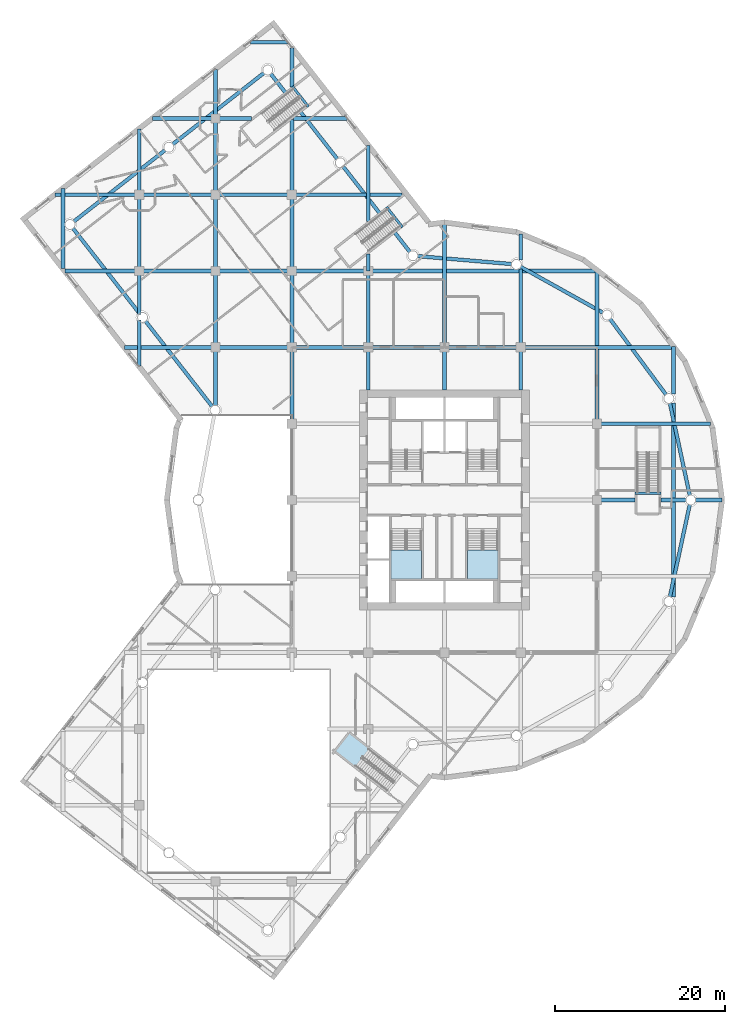
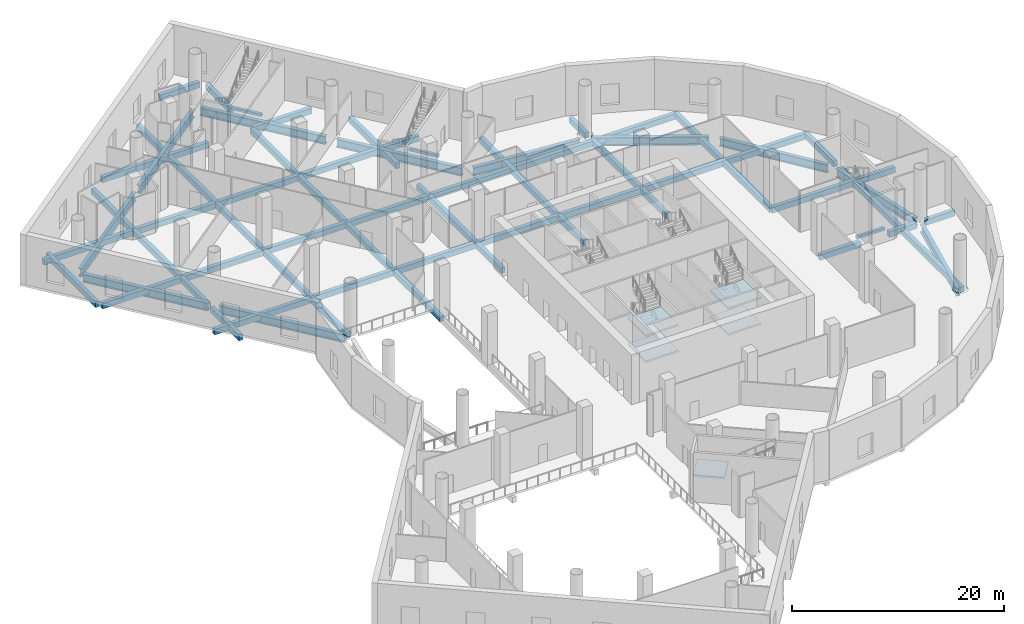
# One storey, part 2 of 24: 64 beams, 5 slabs, 3 elements without a shape of their own.
"""IFC4 building model written with IfcOpenShell, lengths in metres."""

from ifc_helpers import new_model, si_unit, direction, frame, origin, origin_2d, place, context, subcontext, project, spatial, polyline, rectangle, i_section, outline, extrude, material, layer, layer_set, material_profile, profile_set, type_object, element, aggregate, save


model = new_model("IFC4")

# Units and contexts
model_context = context("Model", 3, precision=1e-05, world=origin(), true_north=direction((0.0, 1.0)))
body_context = subcontext(model_context, "Body", "Model", "MODEL_VIEW")
ifc_project = project(units=[si_unit("LENGTHUNIT", "METRE"), si_unit("AREAUNIT", "SQUARE_METRE"), si_unit("VOLUMEUNIT", "CUBIC_METRE"), si_unit("PLANEANGLEUNIT", "RADIAN"), si_unit("MASSUNIT", "GRAM", prefix="KILO")], contexts=[model_context])

# Site, building, storey
site_placement = place(None, origin())
site = spatial("IfcSite", under=ifc_project, at=site_placement, CompositionType="ELEMENT")
building_placement = place(site_placement, origin())
building = spatial("IfcBuilding", under=site, at=building_placement, Name="Tarsis Ring Headquarters", CompositionType="ELEMENT")
storey_placement = place(building_placement, frame((0.0, 0.0, 8.0)))
storey = spatial("IfcBuildingStorey", under=building, at=storey_placement, Name="L01", CompositionType="ELEMENT", Elevation=8.0)

# Beams
ifc_material_1 = material(Name="Concrete C40/50", Category="concrete")
ifc_material_profile_1 = material_profile(ifc_material_1, rectangle(XDim=0.449951171875, YDim=0.64990234375, at=origin_2d()), Name="PO-B450")
ifc_profile_set_1 = profile_set([ifc_material_profile_1], Name="Concrete C40/50")
beam_type_1 = type_object("IfcBeamType", Name="PO-B450", PredefinedType="BEAM", material=ifc_profile_set_1)
beam_1_placement = place(storey_placement, frame((-45.0, 27.3046875, -0.574951171875), z_axis=(0.0, 1.0, 0.0), x_axis=(-1.0, 0.0, 0.0)))
element("IfcBeam", 1, at=beam_1_placement, inside=storey, type_object=beam_type_1, Name="L01 floor beam 2", PredefinedType="BEAM", context=body_context, shape_type="SweptSolid", body=[
    extrude(rectangle(XDim=0.449951171875, YDim=0.64990234375, at=origin_2d()), origin(), (0.0, 0.0, 1.0), 9.42724609375),
])
beam_2_placement = place(storey_placement, frame((-36.0, 15.78515625, -0.574951171875), z_axis=(0.0, 1.0, 0.0), x_axis=(-1.0, 0.0, 0.0)))
element("IfcBeam", 2, at=beam_2_placement, inside=storey, type_object=beam_type_1, Name="L01 floor beam 7", PredefinedType="BEAM", context=body_context, shape_type="SweptSolid", body=[
    extrude(rectangle(XDim=0.449951171875, YDim=0.64990234375, at=origin_2d()), origin(), (0.0, 0.0, 1.0), 5.44140625),
])
beam_3_placement = place(storey_placement, frame((-36.0, 21.853515625, -0.574951171875), z_axis=(0.0, 1.0, 0.0), x_axis=(-1.0, 0.0, 0.0)))
element("IfcBeam", 3, at=beam_3_placement, inside=storey, type_object=beam_type_1, Name="L01 floor beam 8", PredefinedType="BEAM", context=body_context, shape_type="SweptSolid", body=[
    extrude(rectangle(XDim=0.449951171875, YDim=0.64990234375, at=origin_2d()), origin(), (0.0, 0.0, 1.0), 5.146484375),
])
beam_4_placement = place(storey_placement, frame((-36.0, 27.0, -0.574951171875), z_axis=(0.0, 1.0, 0.0), x_axis=(-1.0, 0.0, 0.0)))
element("IfcBeam", 4, at=beam_4_placement, inside=storey, type_object=beam_type_1, Name="L01 floor beam 9", PredefinedType="BEAM", context=body_context, shape_type="SweptSolid", body=[
    extrude(rectangle(XDim=0.449951171875, YDim=0.64990234375, at=origin_2d()), origin(), (0.0, 0.0, 1.0), 9.0),
])
beam_5_placement = place(storey_placement, frame((-36.0, 36.0, -0.574951171875), z_axis=(0.0, 1.0, 0.0), x_axis=(-1.0, 0.0, 0.0)))
element("IfcBeam", 5, at=beam_5_placement, inside=storey, type_object=beam_type_1, Name="L01 floor beam 10", PredefinedType="BEAM", context=body_context, shape_type="SweptSolid", body=[
    extrude(rectangle(XDim=0.449951171875, YDim=0.64990234375, at=origin_2d()), origin(), (0.0, 0.0, 1.0), 7.763671875),
])
beam_6_placement = place(storey_placement, frame((-27.0, 11.082275390625, -0.574951171875), z_axis=(0.0, 1.0, 0.0), x_axis=(-1.0, 0.0, 0.0)))
element("IfcBeam", 6, at=beam_6_placement, inside=storey, type_object=beam_type_1, Name="L01 floor beam 14", PredefinedType="BEAM", context=body_context, shape_type="SweptSolid", body=[
    extrude(rectangle(XDim=0.449951171875, YDim=0.64990234375, at=origin_2d()), origin(), (0.0, 0.0, 1.0), 6.917724609375),
])
for number, where, z_axis, x_axis, name in (
    (7, (-27.0, 18.0, -0.574951171875), (0.0, 1.0, 0.0), (-1.0, 0.0, 0.0), "L01 floor beam 15"),
    (8, (-27.0, 27.0, -0.574951171875), (0.0, 1.0, 0.0), (-1.0, 0.0, 0.0), "L01 floor beam 16"),
    (9, (-27.0, 36.0, -0.574951171875), (0.0, 1.0, 0.0), (-1.0, 0.0, 0.0), "L01 floor beam 17"),
):
    element("IfcBeam", number, at=place(storey_placement, frame(where, z_axis=z_axis, x_axis=x_axis)), inside=storey, type_object=beam_type_1, Name=name, PredefinedType="BEAM", context=body_context, shape_type="SweptSolid", body=[
        extrude(rectangle(XDim=0.449951171875, YDim=0.64990234375, at=origin_2d()), origin(), (0.0, 0.0, 1.0), 9.0),
    ])
beam_7_placement = place(storey_placement, frame((-27.0, 45.0, -0.574951171875), z_axis=(0.0, 1.0, 0.0), x_axis=(-1.0, 0.0, 0.0)))
element("IfcBeam", 10, at=beam_7_placement, inside=storey, type_object=beam_type_1, Name="L01 floor beam 18", PredefinedType="BEAM", context=body_context, shape_type="SweptSolid", body=[
    extrude(rectangle(XDim=0.449951171875, YDim=0.64990234375, at=origin_2d()), origin(), (0.0, 0.0, 1.0), 5.795166015625),
])
for number, where, z_axis, x_axis, name in (
    (11, (-18.0, 9.0, -0.574951171875), (0.0, 1.0, 0.0), (-1.0, 0.0, 0.0), "L01 floor beam 24"),
    (12, (-18.0, 18.0, -0.574951171875), (0.0, 1.0, 0.0), (-1.0, 0.0, 0.0), "L01 floor beam 25"),
    (13, (-18.0, 27.0, -0.574951171875), (0.0, 1.0, 0.0), (-1.0, 0.0, 0.0), "L01 floor beam 26"),
):
    element("IfcBeam", number, at=place(storey_placement, frame(where, z_axis=z_axis, x_axis=x_axis)), inside=storey, type_object=beam_type_1, Name=name, PredefinedType="BEAM", context=body_context, shape_type="SweptSolid", body=[
        extrude(rectangle(XDim=0.449951171875, YDim=0.64990234375, at=origin_2d()), origin(), (0.0, 0.0, 1.0), 9.0),
    ])
beam_8_placement = place(storey_placement, frame((-18.0, 36.0, -0.574951171875), z_axis=(0.0, 1.0, 0.0), x_axis=(-1.0, 0.0, 0.0)))
element("IfcBeam", 14, at=beam_8_placement, inside=storey, type_object=beam_type_1, Name="L01 floor beam 27", PredefinedType="BEAM", context=body_context, shape_type="SweptSolid", body=[
    extrude(rectangle(XDim=0.449951171875, YDim=0.64990234375, at=origin_2d()), origin(), (0.0, 0.0, 1.0), 8.8623046875),
])
beam_9_placement = place(storey_placement, frame((-18.0, 48.7314453125, -0.574951171875), z_axis=(0.0, 1.0, 0.0), x_axis=(-1.0, 0.0, 0.0)))
element("IfcBeam", 15, at=beam_9_placement, inside=storey, type_object=beam_type_1, Name="L01 floor beam 28", PredefinedType="BEAM", context=body_context, shape_type="SweptSolid", body=[
    extrude(rectangle(XDim=0.449951171875, YDim=0.64990234375, at=origin_2d()), origin(), (0.0, 0.0, 1.0), 4.60009765625),
])
beam_10_placement = place(storey_placement, frame((-9.0, 13.0, -0.574951171875), z_axis=(0.0, 1.0, 0.0), x_axis=(-1.0, 0.0, 0.0)))
element("IfcBeam", 16, at=beam_10_placement, inside=storey, type_object=beam_type_1, Name="L01 floor beam 33", PredefinedType="BEAM", context=body_context, shape_type="SweptSolid", body=[
    extrude(rectangle(XDim=0.449951171875, YDim=0.64990234375, at=origin_2d()), origin(), (0.0, 0.0, 1.0), 5.0),
])
beam_11_placement = place(storey_placement, frame((-9.0, 18.0, -0.574951171875), z_axis=(0.0, 1.0, 0.0), x_axis=(-1.0, 0.0, 0.0)))
element("IfcBeam", 17, at=beam_11_placement, inside=storey, type_object=beam_type_1, Name="L01 floor beam 34", PredefinedType="BEAM", context=body_context, shape_type="SweptSolid", body=[
    extrude(rectangle(XDim=0.449951171875, YDim=0.64990234375, at=origin_2d()), origin(), (0.0, 0.0, 1.0), 9.0),
])
beam_12_placement = place(storey_placement, frame((-9.0, 27.0, -0.574951171875), z_axis=(0.0, 1.0, 0.0), x_axis=(-1.0, 0.0, 0.0)))
element("IfcBeam", 18, at=beam_12_placement, inside=storey, type_object=beam_type_1, Name="L01 floor beam 35", PredefinedType="BEAM", context=body_context, shape_type="SweptSolid", body=[
    extrude(rectangle(XDim=0.449951171875, YDim=0.64990234375, at=origin_2d()), origin(), (0.0, 0.0, 1.0), 2.003173828125),
])
beam_13_placement = place(storey_placement, frame((-9.0, 32.872314453125, -0.574951171875), z_axis=(0.0, 1.0, 0.0), x_axis=(-1.0, 0.0, 0.0)))
element("IfcBeam", 19, at=beam_13_placement, inside=storey, type_object=beam_type_1, Name="L01 floor beam 36", PredefinedType="BEAM", context=body_context, shape_type="SweptSolid", body=[
    extrude(rectangle(XDim=0.449951171875, YDim=0.64990234375, at=origin_2d()), origin(), (0.0, 0.0, 1.0), 8.939697265625),
])
beam_14_placement = place(storey_placement, frame((0.0, 13.0, -0.574951171875), z_axis=(0.0, 1.0, 0.0), x_axis=(-1.0, 0.0, 0.0)))
element("IfcBeam", 20, at=beam_14_placement, inside=storey, type_object=beam_type_1, Name="L01 floor beam 39", PredefinedType="BEAM", context=body_context, shape_type="SweptSolid", body=[
    extrude(rectangle(XDim=0.449951171875, YDim=0.64990234375, at=origin_2d()), origin(), (0.0, 0.0, 1.0), 5.0),
])
beam_15_placement = place(storey_placement, frame((0.0, 18.0, -0.574951171875), z_axis=(0.0, 1.0, 0.0), x_axis=(-1.0, 0.0, 0.0)))
element("IfcBeam", 21, at=beam_15_placement, inside=storey, type_object=beam_type_1, Name="L01 floor beam 40", PredefinedType="BEAM", context=body_context, shape_type="SweptSolid", body=[
    extrude(rectangle(XDim=0.449951171875, YDim=0.64990234375, at=origin_2d()), origin(), (0.0, 0.0, 1.0), 14.70458984375),
])
beam_16_placement = place(storey_placement, frame((9.0, 13.0, -0.574951171875), z_axis=(0.0, 1.0, 0.0), x_axis=(-1.0, 0.0, 0.0)))
element("IfcBeam", 22, at=beam_16_placement, inside=storey, type_object=beam_type_1, Name="L01 floor beam 44", PredefinedType="BEAM", context=body_context, shape_type="SweptSolid", body=[
    extrude(rectangle(XDim=0.449951171875, YDim=0.64990234375, at=origin_2d()), origin(), (0.0, 0.0, 1.0), 5.0),
])
beam_17_placement = place(storey_placement, frame((9.0, 18.0, -0.574951171875), z_axis=(0.0, 1.0, 0.0), x_axis=(-1.0, 0.0, 0.0)))
element("IfcBeam", 23, at=beam_17_placement, inside=storey, type_object=beam_type_1, Name="L01 floor beam 45", PredefinedType="BEAM", context=body_context, shape_type="SweptSolid", body=[
    extrude(rectangle(XDim=0.449951171875, YDim=0.64990234375, at=origin_2d()), origin(), (0.0, 0.0, 1.0), 9.245361328125),
])
beam_18_placement = place(storey_placement, frame((9.0, 28.3212890625, -0.574951171875), z_axis=(0.0, 1.0, 0.0), x_axis=(-1.0, 0.0, 0.0)))
element("IfcBeam", 24, at=beam_18_placement, inside=storey, type_object=beam_type_1, Name="L01 floor beam 46", PredefinedType="BEAM", context=body_context, shape_type="SweptSolid", body=[
    extrude(rectangle(XDim=0.449951171875, YDim=0.64990234375, at=origin_2d()), origin(), (0.0, 0.0, 1.0), 3.050048828125),
])
beam_19_placement = place(storey_placement, frame((18.0, 9.0, -0.574951171875), z_axis=(0.0, 1.0, 0.0), x_axis=(-1.0, 0.0, 0.0)))
element("IfcBeam", 25, at=beam_19_placement, inside=storey, type_object=beam_type_1, Name="L01 floor beam 50", PredefinedType="BEAM", context=body_context, shape_type="SweptSolid", body=[
    extrude(rectangle(XDim=0.449951171875, YDim=0.64990234375, at=origin_2d()), origin(), (0.0, 0.0, 1.0), 18.062255859375),
])
beam_20_placement = place(storey_placement, frame((27.0, -11.447998046875, -0.574951171875), z_axis=(0.0, 1.0, 0.0), x_axis=(-1.0, 0.0, 0.0)))
element("IfcBeam", 26, at=beam_20_placement, inside=storey, type_object=beam_type_1, Name="L01 floor beam 52", PredefinedType="BEAM", context=body_context, shape_type="SweptSolid", body=[
    extrude(rectangle(XDim=0.449951171875, YDim=0.64990234375, at=origin_2d()), origin(), (0.0, 0.0, 1.0), 22.89599609375),
])
beam_21_placement = place(storey_placement, frame((27.0, 12.4990234375, -0.574951171875), z_axis=(0.0, 1.0, 0.0), x_axis=(-1.0, 0.0, 0.0)))
element("IfcBeam", 27, at=beam_21_placement, inside=storey, type_object=beam_type_1, Name="L01 floor beam 53", PredefinedType="BEAM", context=body_context, shape_type="SweptSolid", body=[
    extrude(rectangle(XDim=0.449951171875, YDim=0.64990234375, at=origin_2d()), origin(), (0.0, 0.0, 1.0), 5.58203125),
])
beam_22_placement = place(storey_placement, frame((18.0, 0.0, -0.574951171875), z_axis=(1.0, 0.0, 0.0), x_axis=(0.0, 1.0, 0.0)))
element("IfcBeam", 28, at=beam_22_placement, inside=storey, type_object=beam_type_1, Name="L01 floor beam 74", PredefinedType="BEAM", context=body_context, shape_type="SweptSolid", body=[
    extrude(rectangle(XDim=0.449951171875, YDim=0.64990234375, at=origin_2d()), origin(), (0.0, 0.0, 1.0), 4.47509765625),
])
beam_23_placement = place(storey_placement, frame((25.52490234375, 0.0, -0.574951171875), z_axis=(1.0, 0.0, 0.0), x_axis=(0.0, 1.0, 0.0)))
element("IfcBeam", 29, at=beam_23_placement, inside=storey, type_object=beam_type_1, Name="L01 floor beam 75", PredefinedType="BEAM", context=body_context, shape_type="SweptSolid", body=[
    extrude(rectangle(XDim=0.449951171875, YDim=0.64990234375, at=origin_2d()), origin(), (0.0, 0.0, 1.0), 3.023681640625),
])
beam_24_placement = place(storey_placement, frame((29.548583984375, 0.0, -0.574951171875), z_axis=(1.0, 0.0, 0.0), x_axis=(0.0, 1.0, 0.0)))
element("IfcBeam", 30, at=beam_24_placement, inside=storey, type_object=beam_type_1, Name="L01 floor beam 76", PredefinedType="BEAM", context=body_context, shape_type="SweptSolid", body=[
    extrude(rectangle(XDim=0.449951171875, YDim=0.64990234375, at=origin_2d()), origin(), (0.0, 0.0, 1.0), 3.156005859375),
])
beam_25_placement = place(storey_placement, frame((18.0, 9.0, -0.574951171875), z_axis=(1.0, 0.0, 0.0), x_axis=(0.0, 1.0, 0.0)))
element("IfcBeam", 31, at=beam_25_placement, inside=storey, type_object=beam_type_1, Name="L01 floor beam 79", PredefinedType="BEAM", context=body_context, shape_type="SweptSolid", body=[
    extrude(rectangle(XDim=0.449951171875, YDim=0.64990234375, at=origin_2d()), origin(), (0.0, 0.0, 1.0), 13.371337890625),
])
beam_26_placement = place(storey_placement, frame((-37.730224609375, 18.0, -0.574951171875), z_axis=(1.0, 0.0, 0.0), x_axis=(0.0, 1.0, 0.0)))
element("IfcBeam", 32, at=beam_26_placement, inside=storey, type_object=beam_type_1, Name="L01 floor beam 80", PredefinedType="BEAM", context=body_context, shape_type="SweptSolid", body=[
    extrude(rectangle(XDim=0.449951171875, YDim=0.64990234375, at=origin_2d()), origin(), (0.0, 0.0, 1.0), 10.730224609375),
])
for number, where, z_axis, x_axis, name in (
    (33, (-27.0, 18.0, -0.574951171875), (1.0, 0.0, 0.0), (0.0, 1.0, 0.0), "L01 floor beam 81"),
    (34, (-18.0, 18.0, -0.574951171875), (1.0, 0.0, 0.0), (0.0, 1.0, 0.0), "L01 floor beam 82"),
    (35, (-9.0, 18.0, -0.574951171875), (1.0, 0.0, 0.0), (0.0, 1.0, 0.0), "L01 floor beam 83"),
    (36, (0.0, 18.0, -0.574951171875), (1.0, 0.0, 0.0), (0.0, 1.0, 0.0), "L01 floor beam 84"),
):
    element("IfcBeam", number, at=place(storey_placement, frame(where, z_axis=z_axis, x_axis=x_axis)), inside=storey, type_object=beam_type_1, Name=name, PredefinedType="BEAM", context=body_context, shape_type="SweptSolid", body=[
        extrude(rectangle(XDim=0.449951171875, YDim=0.64990234375, at=origin_2d()), origin(), (0.0, 0.0, 1.0), 9.0),
    ])
beam_27_placement = place(storey_placement, frame((9.0, 18.0, -0.574951171875), z_axis=(1.0, 0.0, 0.0), x_axis=(0.0, 1.0, 0.0)))
element("IfcBeam", 37, at=beam_27_placement, inside=storey, type_object=beam_type_1, Name="L01 floor beam 85", PredefinedType="BEAM", context=body_context, shape_type="SweptSolid", body=[
    extrude(rectangle(XDim=0.449951171875, YDim=0.64990234375, at=origin_2d()), origin(), (0.0, 0.0, 1.0), 18.062255859375),
])
beam_28_placement = place(storey_placement, frame((-44.761962890625, 27.0, -0.574951171875), z_axis=(1.0, 0.0, 0.0), x_axis=(0.0, 1.0, 0.0)))
element("IfcBeam", 38, at=beam_28_placement, inside=storey, type_object=beam_type_1, Name="L01 floor beam 86", PredefinedType="BEAM", context=body_context, shape_type="SweptSolid", body=[
    extrude(rectangle(XDim=0.449951171875, YDim=0.64990234375, at=origin_2d()), origin(), (0.0, 0.0, 1.0), 8.761962890625),
])
for number, where, z_axis, x_axis, name in (
    (39, (-36.0, 27.0, -0.574951171875), (1.0, 0.0, 0.0), (0.0, 1.0, 0.0), "L01 floor beam 87"),
    (40, (-27.0, 27.0, -0.574951171875), (1.0, 0.0, 0.0), (0.0, 1.0, 0.0), "L01 floor beam 88"),
    (41, (-18.0, 27.0, -0.574951171875), (1.0, 0.0, 0.0), (0.0, 1.0, 0.0), "L01 floor beam 89"),
):
    element("IfcBeam", number, at=place(storey_placement, frame(where, z_axis=z_axis, x_axis=x_axis)), inside=storey, type_object=beam_type_1, Name=name, PredefinedType="BEAM", context=body_context, shape_type="SweptSolid", body=[
        extrude(rectangle(XDim=0.449951171875, YDim=0.64990234375, at=origin_2d()), origin(), (0.0, 0.0, 1.0), 9.0),
    ])
beam_29_placement = place(storey_placement, frame((-9.0, 27.0, -0.574951171875), z_axis=(1.0, 0.0, 0.0), x_axis=(0.0, 1.0, 0.0)))
element("IfcBeam", 42, at=beam_29_placement, inside=storey, type_object=beam_type_1, Name="L01 floor beam 90", PredefinedType="BEAM", context=body_context, shape_type="SweptSolid", body=[
    extrude(rectangle(XDim=0.449951171875, YDim=0.64990234375, at=origin_2d()), origin(), (0.0, 0.0, 1.0), 27.0810546875),
])
beam_30_placement = place(storey_placement, frame((-45.93701171875, 36.0, -0.574951171875), z_axis=(1.0, 0.0, 0.0), x_axis=(0.0, 1.0, 0.0)))
element("IfcBeam", 43, at=beam_30_placement, inside=storey, type_object=beam_type_1, Name="L01 floor beam 91", PredefinedType="BEAM", context=body_context, shape_type="SweptSolid", body=[
    extrude(rectangle(XDim=0.449951171875, YDim=0.64990234375, at=origin_2d()), origin(), (0.0, 0.0, 1.0), 9.93701171875),
])
for number, where, z_axis, x_axis, name in (
    (44, (-36.0, 36.0, -0.574951171875), (1.0, 0.0, 0.0), (0.0, 1.0, 0.0), "L01 floor beam 92"),
    (45, (-27.0, 36.0, -0.574951171875), (1.0, 0.0, 0.0), (0.0, 1.0, 0.0), "L01 floor beam 93"),
):
    element("IfcBeam", number, at=place(storey_placement, frame(where, z_axis=z_axis, x_axis=x_axis)), inside=storey, type_object=beam_type_1, Name=name, PredefinedType="BEAM", context=body_context, shape_type="SweptSolid", body=[
        extrude(rectangle(XDim=0.449951171875, YDim=0.64990234375, at=origin_2d()), origin(), (0.0, 0.0, 1.0), 9.0),
    ])
beam_31_placement = place(storey_placement, frame((-18.0, 36.0, -0.574951171875), z_axis=(1.0, 0.0, 0.0), x_axis=(0.0, 1.0, 0.0)))
element("IfcBeam", 46, at=beam_31_placement, inside=storey, type_object=beam_type_1, Name="L01 floor beam 94", PredefinedType="BEAM", context=body_context, shape_type="SweptSolid", body=[
    extrude(rectangle(XDim=0.449951171875, YDim=0.64990234375, at=origin_2d()), origin(), (0.0, 0.0, 1.0), 13.0068359375),
])
beam_32_placement = place(storey_placement, frame((-34.41748046875, 45.0, -0.574951171875), z_axis=(1.0, 0.0, 0.0), x_axis=(0.0, 1.0, 0.0)))
element("IfcBeam", 47, at=beam_32_placement, inside=storey, type_object=beam_type_1, Name="L01 floor beam 95", PredefinedType="BEAM", context=body_context, shape_type="SweptSolid", body=[
    extrude(rectangle(XDim=0.449951171875, YDim=0.64990234375, at=origin_2d()), origin(), (0.0, 0.0, 1.0), 7.41748046875),
])
beam_33_placement = place(storey_placement, frame((-27.0, 45.0, -0.574951171875), z_axis=(1.0, 0.0, 0.0), x_axis=(0.0, 1.0, 0.0)))
element("IfcBeam", 48, at=beam_33_placement, inside=storey, type_object=beam_type_1, Name="L01 floor beam 96", PredefinedType="BEAM", context=body_context, shape_type="SweptSolid", body=[
    extrude(rectangle(XDim=0.449951171875, YDim=0.64990234375, at=origin_2d()), origin(), (0.0, 0.0, 1.0), 4.219482421875),
])
beam_34_placement = place(storey_placement, frame((-17.82373046875, 45.0, -0.574951171875), z_axis=(1.0, 0.0, 0.0), x_axis=(0.0, 1.0, 0.0)))
element("IfcBeam", 49, at=beam_34_placement, inside=storey, type_object=beam_type_1, Name="L01 floor beam 97", PredefinedType="BEAM", context=body_context, shape_type="SweptSolid", body=[
    extrude(rectangle(XDim=0.449951171875, YDim=0.64990234375, at=origin_2d()), origin(), (0.0, 0.0, 1.0), 6.3330078125),
])
beam_35_placement = place(storey_placement, frame((-22.89794921875, 54.0, -0.574951171875), z_axis=(1.0, 0.0, 0.0), x_axis=(0.0, 1.0, 0.0)))
element("IfcBeam", 50, at=beam_35_placement, inside=storey, type_object=beam_type_1, Name="L01 floor beam 98", PredefinedType="BEAM", context=body_context, shape_type="SweptSolid", body=[
    extrude(rectangle(XDim=0.449951171875, YDim=0.64990234375, at=origin_2d()), origin(), (0.0, 0.0, 1.0), 4.375732421875),
])
ifc_material_2 = material(Name="Concrete C60/75", Category="concrete")
ifc_material_profile_2 = material_profile(ifc_material_2, rectangle(XDim=0.300048828125, YDim=0.300048828125, at=origin_2d()), Name="PO-SHB300")
ifc_profile_set_2 = profile_set([ifc_material_profile_2], Name="Concrete C60/75")
beam_type_2 = type_object("IfcBeamType", Name="PO-SHB300", PredefinedType="BEAM", material=ifc_profile_set_2)
beam_36_placement = place(storey_placement, frame((25.52490234375, 0.780029296875, -0.39990234375), z_axis=(-1.0, 0.0, 0.0), x_axis=(0.0, -1.0, 0.0)))
element("IfcBeam", 51, at=beam_36_placement, inside=storey, type_object=beam_type_2, Name="Stair head beam L01 PS1", PredefinedType="BEAM", context=body_context, shape_type="SweptSolid", body=[
    extrude(rectangle(XDim=0.300048828125, YDim=0.300048828125, at=origin_2d()), origin(), (0.0, 0.0, 1.0), 3.0498046875),
])
beam_37_placement = place(storey_placement, frame((-6.83203125, 34.564697265625, -0.39990234375), z_axis=(0.615308465652, -0.788286427701, 0.0), x_axis=(0.788286427701, 0.615308465652, 0.0)))
element("IfcBeam", 52, at=beam_37_placement, inside=storey, type_object=beam_type_2, Name="Stair head beam L01 PS3", PredefinedType="BEAM", context=body_context, shape_type="SweptSolid", body=[
    extrude(rectangle(XDim=0.300048828125, YDim=0.300048828125, at=origin_2d()), origin(), (0.0, 0.0, 1.0), 3.050048828125),
])
beam_38_placement = place(storey_placement, frame((-17.93212890625, 48.78466796875, -0.39990234375), z_axis=(0.615358201785, -0.788247602911, 0.0), x_axis=(0.788247602911, 0.615358201785, 0.0)))
element("IfcBeam", 53, at=beam_38_placement, inside=storey, type_object=beam_type_2, Name="Stair head beam L01 PS4", PredefinedType="BEAM", context=body_context, shape_type="SweptSolid", body=[
    extrude(rectangle(XDim=0.300048828125, YDim=0.300048828125, at=origin_2d()), origin(), (0.0, 0.0, 1.0), 3.05029296875),
])
ifc_material_3 = material(Name="Structural steel S355", Category="steel")
ifc_material_profile_3 = material_profile(ifc_material_3, i_section(OverallWidth=0.42431640625, OverallDepth=0.947509765625, WebThickness=0.02392578125, FlangeThickness=0.042724609375, at=origin_2d()), Name="W36x302")
ifc_profile_set_3 = profile_set([ifc_material_profile_3], Name="Structural steel S355")
beam_type_3 = type_object("IfcBeamType", Name="XG Ring girder W36x302", PredefinedType="BEAM", material=ifc_profile_set_3)
for number, where, z_axis, x_axis, name in (
    (54, (26.581787109375, -11.437255859375, -0.7236328125), (0.2108296684, 0.977522813505, 0.0), (-0.977522813505, 0.2108296684, 0.0), "Ring girder XG1"),
    (55, (28.932861328125, 0.536376953125, -0.7236328125), (-0.2108296684, 0.977522813505, 0.0), (-0.977522813505, -0.2108296684, 0.0), "Ring girder XG1"),
    (56, (26.1396484375, 12.41455078125, -0.7236328125), (-0.595024911632, 0.80370725674, 0.0), (-0.80370725674, -0.595024911632, 0.0), "Ring girder XG1"),
    (57, (18.698486328125, 22.085205078125, -0.7236328125), (-0.873397184148, 0.487008581776, 0.0), (-0.487008581776, -0.873397184148, 0.0), "Ring girder XG1"),
):
    element("IfcBeam", number, at=place(storey_placement, frame(where, z_axis=z_axis, x_axis=x_axis)), inside=storey, type_object=beam_type_3, Name=name, PredefinedType="BEAM", context=body_context, shape_type="SweptSolid", body=[
        extrude(i_section(OverallWidth=0.42431640625, OverallDepth=0.947509765625, WebThickness=0.02392578125, FlangeThickness=0.042724609375, at=origin_2d()), origin(), (0.0, 0.0, 1.0), 11.151611328125),
    ])
beam_39_placement = place(storey_placement, frame((7.932861328125, 27.8291015625, -0.7236328125), z_axis=(-0.996489363019, 0.083719468411, 0.0), x_axis=(-0.083719468411, -0.996489363019, 0.0)))
element("IfcBeam", 58, at=beam_39_placement, inside=storey, type_object=beam_type_3, Name="Ring girder XG1", PredefinedType="BEAM", context=body_context, shape_type="SweptSolid", body=[
    extrude(i_section(OverallWidth=0.42431640625, OverallDepth=0.947509765625, WebThickness=0.02392578125, FlangeThickness=0.042724609375, at=origin_2d()), origin(), (0.0, 0.0, 1.0), 11.1513671875),
])
for number, where, z_axis, x_axis, name in (
    (59, (-4.06396484375, 29.240966796875, -0.7236328125), (-0.615666981287, 0.788006451847, 0.0), (-0.788006451847, -0.615666981287, 0.0), "Ring girder XG1"),
    (60, (-12.623046875, 40.196044921875, -0.7236328125), (-0.615666981287, 0.788006451847, 0.0), (-0.788006451847, -0.615666981287, 0.0), "Ring girder XG1"),
):
    element("IfcBeam", number, at=place(storey_placement, frame(where, z_axis=z_axis, x_axis=x_axis)), inside=storey, type_object=beam_type_3, Name=name, PredefinedType="BEAM", context=body_context, shape_type="SweptSolid", body=[
        extrude(i_section(OverallWidth=0.42431640625, OverallDepth=0.947509765625, WebThickness=0.02392578125, FlangeThickness=0.042724609375, at=origin_2d()), origin(), (0.0, 0.0, 1.0), 12.804931640625),
    ])
for number, where, z_axis, x_axis, name in (
    (61, (-21.276611328125, 50.380859375, -0.7236328125), (-0.788023563374, -0.61564507922, 0.0), (0.61564507922, -0.788023563374, 0.0), "Ring girder XG1"),
    (62, (-32.939208984375, 41.269287109375, -0.7236328125), (-0.7880081664, -0.615664786785, 0.0), (0.615664786785, -0.7880081664, 0.0), "Ring girder XG1"),
):
    element("IfcBeam", number, at=place(storey_placement, frame(where, z_axis=z_axis, x_axis=x_axis)), inside=storey, type_object=beam_type_3, Name=name, PredefinedType="BEAM", context=body_context, shape_type="SweptSolid", body=[
        extrude(i_section(OverallWidth=0.42431640625, OverallDepth=0.947509765625, WebThickness=0.02392578125, FlangeThickness=0.042724609375, at=origin_2d()), origin(), (0.0, 0.0, 1.0), 13.70263671875),
    ])
for number, where, z_axis, x_axis, name in (
    (63, (-43.831787109375, 32.062744140625, -0.7236328125), (0.615666981287, -0.788006451847, 0.0), (0.788006451847, 0.615666981287, 0.0), "Ring girder XG1"),
    (64, (-35.272705078125, 21.107666015625, -0.7236328125), (0.615666981287, -0.788006451847, 0.0), (0.788006451847, 0.615666981287, 0.0), "Ring girder XG1"),
):
    element("IfcBeam", number, at=place(storey_placement, frame(where, z_axis=z_axis, x_axis=x_axis)), inside=storey, type_object=beam_type_3, Name=name, PredefinedType="BEAM", context=body_context, shape_type="SweptSolid", body=[
        extrude(i_section(OverallWidth=0.42431640625, OverallDepth=0.947509765625, WebThickness=0.02392578125, FlangeThickness=0.042724609375, at=origin_2d()), origin(), (0.0, 0.0, 1.0), 12.804931640625),
    ])

# Stair, slabs
ifc_material_4 = material(Name="Core stair 1760")
stair_type_1 = type_object("IfcStairType", Name="Core stair 1760", PredefinedType="HALF_TURN_STAIR", material=ifc_material_4)
stair_1_placement = place(storey_placement, origin())
stair_1 = element("IfcStair", 65, at=stair_1_placement, inside=storey, type_object=stair_type_1, Name="L01 Exit stair C", PredefinedType="HALF_TURN_STAIR")
ifc_layer_1 = layer(ifc_material_1, 0.199951171875)
ifc_layer_set_1 = layer_set([ifc_layer_1], Name="Core stair landing 200")
slab_type_1 = type_object("IfcSlabType", Name="Core stair landing 200", PredefinedType="LANDING", material=ifc_layer_set_1)
slab_1_placement = place(storey_placement, frame((0.0, 0.0, 1.300048828125)))
slab_1 = element("IfcSlab", 66, at=slab_1_placement, type_object=slab_type_1, Name="Stair ST3 landing 1", PredefinedType="LANDING", context=body_context, shape_type="SweptSolid", body=[
    extrude(outline(polyline([(-6.300048828125, -5.89990234375), (-6.300048828125, -9.300048828125), (-2.699951171875, -9.300048828125), (-2.699951171875, -5.89990234375), (-6.300048828125, -5.89990234375)])), origin(), (0.0, 0.0, 1.0), 0.199951171875),
])
slab_2_placement = place(storey_placement, frame((0.0, 0.0, 4.300048828125)))
slab_2 = element("IfcSlab", 67, at=slab_2_placement, type_object=slab_type_1, Name="Stair ST3 landing 3", PredefinedType="LANDING", context=body_context, shape_type="SweptSolid", body=[
    extrude(outline(polyline([(-6.300048828125, -5.89990234375), (-6.300048828125, -9.300048828125), (-2.699951171875, -9.300048828125), (-2.699951171875, -5.89990234375), (-6.300048828125, -5.89990234375)])), origin(), (0.0, 0.0, 1.0), 0.199951171875),
])
aggregate(stair_1, [slab_1, slab_2])

stair_2_placement = place(storey_placement, origin())
stair_2 = element("IfcStair", 68, at=stair_2_placement, inside=storey, type_object=stair_type_1, Name="L01 Exit stair D", PredefinedType="HALF_TURN_STAIR")
slab_3_placement = place(storey_placement, frame((0.0, 0.0, 1.300048828125)))
slab_3 = element("IfcSlab", 69, at=slab_3_placement, type_object=slab_type_1, Name="Stair ST4 landing 1", PredefinedType="LANDING", context=body_context, shape_type="SweptSolid", body=[
    extrude(outline(polyline([(2.699951171875, -5.89990234375), (2.699951171875, -9.300048828125), (6.300048828125, -9.300048828125), (6.300048828125, -5.89990234375), (2.699951171875, -5.89990234375)])), origin(), (0.0, 0.0, 1.0), 0.199951171875),
])
slab_4_placement = place(storey_placement, frame((0.0, 0.0, 4.300048828125)))
slab_4 = element("IfcSlab", 70, at=slab_4_placement, type_object=slab_type_1, Name="Stair ST4 landing 3", PredefinedType="LANDING", context=body_context, shape_type="SweptSolid", body=[
    extrude(outline(polyline([(2.699951171875, -5.89990234375), (2.699951171875, -9.300048828125), (6.300048828125, -9.300048828125), (6.300048828125, -5.89990234375), (2.699951171875, -5.89990234375)])), origin(), (0.0, 0.0, 1.0), 0.199951171875),
])
aggregate(stair_2, [slab_3, slab_4])

# Stair, slab
stair_type_2 = type_object("IfcStairType", Name="PO-ST", PredefinedType="HALF_TURN_STAIR", material=ifc_material_1)
stair_3_placement = place(storey_placement, origin())
stair_3 = element("IfcStair", 71, at=stair_3_placement, inside=storey, type_object=stair_type_2, Name="L01 Podium stair", PredefinedType="HALF_TURN_STAIR")
ifc_layer_2 = layer(ifc_material_1, 0.199951171875)
ifc_layer_set_2 = layer_set([ifc_layer_2], Name="PO-STL")
slab_type_2 = type_object("IfcSlabType", Name="PO-STL", PredefinedType="LANDING", material=ifc_layer_set_2)
slab_5_placement = place(storey_placement, frame((0.0, 0.0, 2.800048828125)))
slab_5 = element("IfcSlab", 72, at=slab_5_placement, type_object=slab_type_2, Name="Stair PS2 landing 1", PredefinedType="LANDING", context=body_context, shape_type="SweptSolid", body=[
    extrude(outline(polyline([(-8.85595703125, -29.356689453125), (-11.220703125, -27.5107421875), (-12.86376953125, -29.615234375), (-10.498779296875, -31.46142578125), (-8.85595703125, -29.356689453125)])), origin(), (0.0, 0.0, 1.0), 0.199951171875),
])
aggregate(stair_3, [slab_5])

save(model, "model.ifc")
